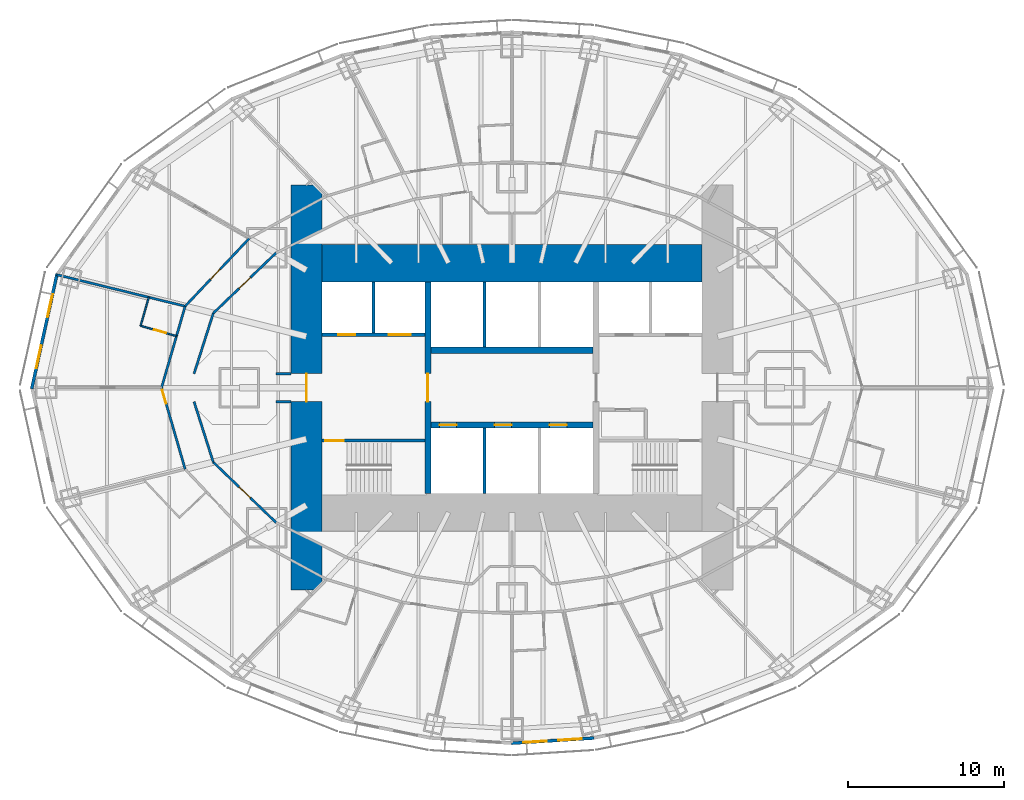
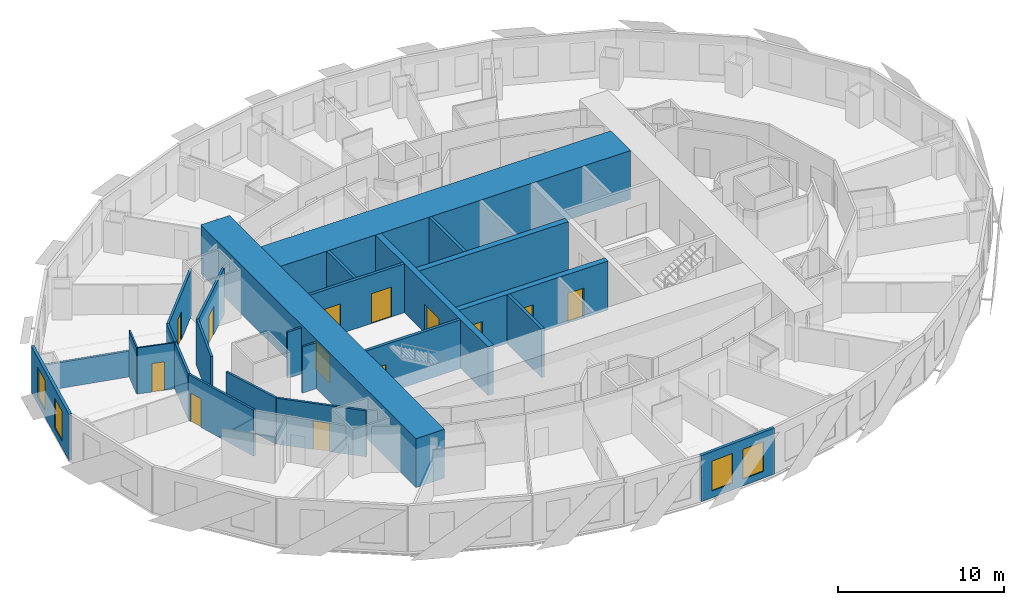
# One storey, part 6 of 15: 24 walls, 13 doors, 4 windows, 17 openings.
"""IFC4 building model written with IfcOpenShell, lengths in metres."""

import ifcopenshell
import ifcopenshell.guid

model = None  # the IFC model being written
_history = None  # IfcOwnerHistory: only IFC2X3 demands one
_inside = {}  # id of a spatial element -> (the spatial element, [elements in it])
_under = {}  # id of a project, library or spatial element -> (it, [spatial elements below it])
_declared = {}  # id of a project -> (the project, [libraries it declares])
_typed = {}  # id of a type object -> (the type object, [elements of that type])
_made_of = {}  # id of a material, layer set ... -> (it, [elements and type objects made of it])


def new_model(schema):
    """Start an empty IFC model of exactly this schema.

    Asked for "IFC4X3", IfcOpenShell would pick the latest addendum, in which some entities
    have other attributes; the version numbers below select the first issue.
    IFC2X3 requires an IfcOwnerHistory on every rooted entity: one is made here for all.
    """
    global model, _history
    if schema == "IFC4X3":
        model = ifcopenshell.file(schema_version=(4, 3, 0, 0))
    else:
        model = ifcopenshell.file(schema=schema)
    _inside.clear()
    _under.clear()
    _declared.clear()
    _typed.clear()
    _made_of.clear()
    _history = None
    if model.schema == "IFC2X3":
        org = make("IfcOrganization", Name="unknown")
        user = make(
            "IfcPersonAndOrganization",
            ThePerson=make("IfcPerson", FamilyName="unknown"),
            TheOrganization=org,
        )
        app = make(
            "IfcApplication",
            ApplicationDeveloper=org,
            Version="unknown",
            ApplicationFullName="unknown",
            ApplicationIdentifier="unknown",
        )
        _history = make(
            "IfcOwnerHistory",
            OwningUser=user,
            OwningApplication=app,
            ChangeAction="ADDED",
            CreationDate=0,
        )
    return model


def make(cls, **values):
    """One entity of the class cls with the attributes given. An attribute that is None is left unset."""
    return model.create_entity(
        cls, **{name: value for name, value in values.items() if value is not None}
    )


def rooted(cls, **values):
    """An entity with a GlobalId (a new one), such as an element, a storey or a relation."""
    return make(cls, GlobalId=ifcopenshell.guid.new(), OwnerHistory=_history, **values)


def si_unit(unit_type, name, prefix=None):
    """IfcSIUnit, for example si_unit("LENGTHUNIT", "METRE", prefix="MILLI")."""
    return make("IfcSIUnit", UnitType=unit_type, Prefix=prefix, Name=name)


def assignment(units):
    """IfcUnitAssignment: the units of a project."""
    return None if units is None else make("IfcUnitAssignment", Units=units)


def point(xyz):
    """IfcCartesianPoint."""
    return None if xyz is None else make("IfcCartesianPoint", Coordinates=xyz)


def direction(xyz):
    """IfcDirection."""
    return None if xyz is None else make("IfcDirection", DirectionRatios=xyz)


def frame(location, z_axis=None, x_axis=None):
    """IfcAxis2Placement3D, a coordinate frame: its origin and axes. An axis left out is left unset."""
    return make(
        "IfcAxis2Placement3D",
        Location=point(location),
        Axis=direction(z_axis),
        RefDirection=direction(x_axis),
    )


def frame_2d(location, x_axis=None):
    """IfcAxis2Placement2D, a coordinate frame in the plane: its origin and x axis."""
    return make(
        "IfcAxis2Placement2D", Location=point(location), RefDirection=direction(x_axis)
    )


def origin():
    """The frame at (0, 0, 0) with its axes left unset."""
    return frame((0.0, 0.0, 0.0))


def place(relative_to, where):
    """IfcLocalPlacement: puts the frame where relative to a parent placement (None: the world)."""
    return make(
        "IfcLocalPlacement", PlacementRelTo=relative_to, RelativePlacement=where
    )


def context(
    kind, dimensions, precision=None, world=None, true_north=None, identifier=None
):
    """IfcGeometricRepresentationContext, for example the 3D "Model" context."""
    return make(
        "IfcGeometricRepresentationContext",
        ContextIdentifier=identifier,
        ContextType=kind,
        CoordinateSpaceDimension=dimensions,
        Precision=precision,
        WorldCoordinateSystem=world,
        TrueNorth=true_north,
    )


def subcontext(parent, identifier, kind, view, scale=None):
    """IfcGeometricRepresentationSubContext, for example "Body" below "Model"."""
    return make(
        "IfcGeometricRepresentationSubContext",
        ContextIdentifier=identifier,
        ContextType=kind,
        ParentContext=parent,
        TargetScale=scale,
        TargetView=view,
    )


def project(units=None, contexts=None):
    """IfcProject with its units and contexts."""
    return rooted(
        "IfcProject",
        Name="project",
        RepresentationContexts=contexts,
        UnitsInContext=assignment(units),
    )


def spatial(cls, under=None, at=None, **own):
    """A site, building, storey or space (cls), placed at a placement, below another one or the project."""
    s = rooted(cls, ObjectPlacement=at, **own)
    if under is not None:
        _under.setdefault(under.id(), (under, []))[1].append(s)
    return s


def profile(cls, at=None, kind="AREA", **sizes):
    """A parametric profile (cls). Its sizes go by their IFC names, for example OverallWidth=200.0."""
    return make(cls, ProfileType=kind, Position=at, **sizes)


def rectangle(**sizes):
    """IfcRectangleProfileDef."""
    return profile("IfcRectangleProfileDef", **sizes)


def extrude(swept, where, along, depth):
    """IfcExtrudedAreaSolid: the profile swept, set in the frame where, extruded along a direction by depth."""
    return make(
        "IfcExtrudedAreaSolid",
        SweptArea=swept,
        Position=where,
        ExtrudedDirection=direction(along),
        Depth=depth,
    )


def shape(context_of_items, identifier, shape_type, items):
    """IfcShapeRepresentation: the items that make up one representation, for example the "Body"."""
    return make(
        "IfcShapeRepresentation",
        ContextOfItems=context_of_items,
        RepresentationIdentifier=identifier,
        RepresentationType=shape_type,
        Items=items,
    )


def material(Name=None, Category=None):
    """IfcMaterial."""
    return make("IfcMaterial", Name=Name, Category=Category)


def layer(
    of_material, thickness, ventilated=None, Name=None, Category=None, Priority=None
):
    """IfcMaterialLayer: one layer of a wall or slab, of a material (None: an air gap)."""
    return make(
        "IfcMaterialLayer",
        Material=of_material,
        LayerThickness=thickness,
        IsVentilated=ventilated,
        Name=Name,
        Category=Category,
        Priority=Priority,
    )


def layer_set(layers, Name=None):
    """IfcMaterialLayerSet."""
    return make("IfcMaterialLayerSet", MaterialLayers=layers, LayerSetName=Name)


def made_of(thing, what):
    """Note that an element or type object is made of a material, layer set ...; save() writes the relation."""
    if what is not None:
        _made_of.setdefault(what.id(), (what, []))[1].append(thing)
    return thing


def type_object(cls, material=None, **own):
    """A type object (cls), such as IfcWallType, which elements share."""
    return made_of(rooted(cls, **own), material)


def element(
    cls,
    number,
    at=None,
    inside=None,
    cuts=None,
    type_object=None,
    material=None,
    context=None,
    identifier="Body",
    shape_type=None,
    held_by="IfcProductDefinitionShape",
    body=None,
    shapes=None,
    **own,
):
    """One element of the class cls, such as IfcWall. Its Tag is "e" and its number.

    at: its placement. inside: the storey or other place that contains it. cuts: it is an
    opening in that element (IfcRelVoidsElement). A single representation is given by context,
    identifier, shape_type and body (its items); several are given by shapes. held_by: the class
    of the entity that holds the representations. save() writes the other relations.
    """
    e = rooted(cls, Tag="e%d" % number, ObjectPlacement=at, **own)
    if body is not None:
        shapes = [shape(context, identifier, shape_type, body)]
    if shapes is not None:
        e.Representation = make(held_by, Representations=shapes)
    if inside is not None:
        _inside.setdefault(inside.id(), (inside, []))[1].append(e)
    if cuts is not None:
        rooted(
            "IfcRelVoidsElement", RelatingBuildingElement=cuts, RelatedOpeningElement=e
        )
    if type_object is not None:
        _typed.setdefault(type_object.id(), (type_object, []))[1].append(e)
    return made_of(e, material)


def fill(opening, filler):
    """IfcRelFillsElement: the door or window that sits in an opening."""
    return rooted(
        "IfcRelFillsElement",
        RelatingOpeningElement=opening,
        RelatedBuildingElement=filler,
    )


def aggregate(whole, parts):
    """IfcRelAggregates: a whole, such as a stair, and the parts it consists of."""
    return rooted("IfcRelAggregates", RelatingObject=whole, RelatedObjects=parts)


def save(model, path):
    """Write the relations noted so far, then the file.

    IfcRelAggregates (storeys below a building ...), IfcRelContainedInSpatialStructure (elements
    in a storey), IfcRelDefinesByType, IfcRelAssociatesMaterial and IfcRelDeclares: one each for
    every whole, place, type object, material and project.
    """
    for whole, parts in _under.values():
        aggregate(whole, parts)
    for where, things in _inside.values():
        rooted(
            "IfcRelContainedInSpatialStructure",
            RelatedElements=things,
            RelatingStructure=where,
        )
    for kind, things in _typed.values():
        rooted("IfcRelDefinesByType", RelatedObjects=things, RelatingType=kind)
    for what, things in _made_of.values():
        rooted("IfcRelAssociatesMaterial", RelatedObjects=things, RelatingMaterial=what)
    for by, libraries in _declared.values():
        rooted("IfcRelDeclares", RelatingContext=by, RelatedDefinitions=libraries)
    model.write(path)


model = new_model("IFC4")

# Units and contexts
model_context = context("Model", 3, precision=1e-05, world=origin(), true_north=direction((0.0, 1.0)))
body_context = subcontext(model_context, "Body", "Model", "MODEL_VIEW")
ifc_project = project(units=[si_unit("LENGTHUNIT", "METRE"), si_unit("AREAUNIT", "SQUARE_METRE"), si_unit("VOLUMEUNIT", "CUBIC_METRE"), si_unit("PLANEANGLEUNIT", "RADIAN"), si_unit("MASSUNIT", "GRAM", prefix="KILO")], contexts=[model_context])

# Site, building, storey
site_placement = place(None, origin())
site = spatial("IfcSite", under=ifc_project, at=site_placement, CompositionType="ELEMENT")
building_placement = place(site_placement, origin())
building = spatial("IfcBuilding", under=site, at=building_placement, Name="Lantaw Convention Tower", CompositionType="ELEMENT")
storey_placement = place(building_placement, frame((0.0, 0.0, 101.800048828125)))
storey = spatial("IfcBuildingStorey", under=building, at=storey_placement, Name="L24", CompositionType="ELEMENT", Elevation=101.800048828125)

# Wall, opening, door
ifc_material_1 = material(Name="Moisture resistant gypsum board on steel studs", Category="steel")
ifc_layer_1 = layer(ifc_material_1, 0.10009765625)
ifc_layer_set_1 = layer_set([ifc_layer_1], Name="Bathroom wall 100")
wall_type_1 = type_object("IfcWallType", Name="Bathroom wall 100", PredefinedType="PARTITIONING", material=ifc_layer_set_1)
wall_1_placement = place(storey_placement, frame((-21.540771484375, 3.31103515625, 0.0), z_axis=(0.0, 0.0, 1.0), x_axis=(-0.960515628303, 0.278226037218, 0.0)))
wall_1 = element("IfcWall", 1, at=wall_1_placement, inside=storey, type_object=wall_type_1, Name="Bathroom wall 100", PredefinedType="PARTITIONING", context=body_context, shape_type="SweptSolid", body=[
    extrude(rectangle(XDim=2.39990234375, YDim=0.10009765625, at=frame_2d((1.199951171875, 0.0))), origin(), (0.0, 0.0, 1.0), 3.39990234375),
])
opening_1_placement = place(wall_1_placement, frame((0.699951171875, 0.0, 0.0)))
opening_1 = element("IfcOpeningElement", 2, at=opening_1_placement, cuts=wall_1, Name="Opening L24.37", PredefinedType="OPENING", context=body_context, shape_type="SweptSolid", body=[
    extrude(rectangle(XDim=0.800048828125, YDim=2.10009765625, at=frame_2d((0.39990234375, 1.050048828125))), frame((0.0, 0.06005859375, 0.0), z_axis=(0.0, -1.0, 0.0), x_axis=(1.0, 0.0, 0.0)), (0.0, 0.0, 1.0), 0.1201171875),
])
ifc_material_2 = material(Name="Timber", Category="wood")
door_type_1 = type_object("IfcDoorType", Name="Bathroom door 800", OperationType="SINGLE_SWING_LEFT", PredefinedType="DOOR", material=ifc_material_2)
door_1_placement = place(opening_1_placement, origin())
door_1 = element("IfcDoor", 3, at=door_1_placement, inside=storey, type_object=door_type_1, Name="Bathroom door", OperationType="SINGLE_SWING_LEFT", OverallHeight=2.10009765625, OverallWidth=0.800048828125, PredefinedType="DOOR", context=body_context, shape_type="SweptSolid", body=[
    extrude(rectangle(XDim=0.800048828125, YDim=2.10009765625, at=frame_2d((0.39990234375, 1.050048828125))), frame((0.0, 0.02490234375, 0.0), z_axis=(0.0, -1.0, 0.0), x_axis=(1.0, 0.0, 0.0)), (0.0, 0.0, 1.0), 0.050048828125),
])
fill(opening_1, door_1)

# Wall
wall_2_placement = place(storey_placement, frame((-23.845947265625, 3.978759765625, 0.0), z_axis=(0.0, 0.0, 1.0), x_axis=(0.278197767203, 0.960523816635, 0.0)))
element("IfcWall", 4, at=wall_2_placement, inside=storey, type_object=wall_type_1, Name="Bathroom wall 100", PredefinedType="PARTITIONING", context=body_context, shape_type="SweptSolid", body=[
    extrude(rectangle(XDim=1.90966796875, YDim=0.10009765625, at=frame_2d((0.954833984375, 0.0))), origin(), (0.0, 0.0, 1.0), 3.39990234375),
])

# Wall, opening, door
ifc_material_3 = material(Name="Concrete C60/75", Category="concrete")
ifc_layer_2 = layer(ifc_material_3, 0.199951171875)
ifc_layer_set_2 = layer_set([ifc_layer_2], Name="Core wall 200")
wall_type_2 = type_object("IfcWallType", Name="Core wall 200", PredefinedType="SHEAR", material=ifc_layer_set_2)
wall_3_placement = place(storey_placement, frame((-5.60009765625, -3.39990234375, 0.0), z_axis=(0.0, 0.0, 1.0), x_axis=(-1.0, 0.0, 0.0)))
wall_3 = element("IfcWall", 5, at=wall_3_placement, inside=storey, type_object=wall_type_2, Name="Core wall WS", PredefinedType="SHEAR", context=body_context, shape_type="SweptSolid", body=[
    extrude(rectangle(XDim=6.599853515625, YDim=0.199951171875, at=frame_2d((3.2998046875, 0.0))), origin(), (0.0, 0.0, 1.0), 3.599853515625),
])
opening_2_placement = place(wall_3_placement, frame((5.199951171875, 0.0, 0.0)))
opening_2 = element("IfcOpeningElement", 6, at=opening_2_placement, cuts=wall_3, Name="Opening L24.05", PredefinedType="OPENING", context=body_context, shape_type="SweptSolid", body=[
    extrude(rectangle(XDim=1.199951171875, YDim=2.10009765625, at=frame_2d((0.60009765625, 1.050048828125))), frame((0.0, 0.10986328125, 0.0), z_axis=(0.0, -1.0, 0.0), x_axis=(1.0, 0.0, 0.0)), (0.0, 0.0, 1.0), 0.219970703125),
])
ifc_material_4 = material(Name="Steel, fire rated", Category="steel")
door_type_2 = type_object("IfcDoorType", Name="Stair door FD90", OperationType="SINGLE_SWING_RIGHT", PredefinedType="DOOR", material=ifc_material_4)
door_2_placement = place(opening_2_placement, origin())
door_2 = element("IfcDoor", 7, at=door_2_placement, inside=storey, type_object=door_type_2, Name="Exit stair door", OperationType="SINGLE_SWING_RIGHT", OverallHeight=2.10009765625, OverallWidth=1.199951171875, PredefinedType="DOOR", context=body_context, shape_type="SweptSolid", body=[
    extrude(rectangle(XDim=1.199951171875, YDim=2.10009765625, at=frame_2d((0.60009765625, 1.050048828125))), frame((0.0, 0.02490234375, 0.0), z_axis=(0.0, -1.0, 0.0), x_axis=(1.0, 0.0, 0.0)), (0.0, 0.0, 1.0), 0.050048828125),
])
fill(opening_2, door_2)

ifc_layer_3 = layer(ifc_material_3, 2.0)
ifc_layer_set_3 = layer_set([ifc_layer_3], Name="Core wall 2000")
wall_type_3 = type_object("IfcWallType", Name="Core wall 2000", PredefinedType="SHEAR", material=ifc_layer_set_3)
wall_4_placement = place(storey_placement, frame((-13.199951171875, 13.0, 0.0), z_axis=(0.0, 0.0, 1.0), x_axis=(0.0, -1.0, 0.0)))
wall_4 = element("IfcWall", 8, at=wall_4_placement, inside=storey, type_object=wall_type_3, Name="Core wall W", PredefinedType="SHEAR", context=body_context, shape_type="SweptSolid", body=[
    extrude(rectangle(XDim=26.0, YDim=2.0, at=frame_2d((13.0, 0.0))), origin(), (0.0, 0.0, 1.0), 3.599853515625),
])
opening_3_placement = place(wall_4_placement, frame((12.10009765625, 0.0, 0.0)))
opening_3 = element("IfcOpeningElement", 9, at=opening_3_placement, cuts=wall_4, Name="Opening L24.07", PredefinedType="OPENING", context=body_context, shape_type="SweptSolid", body=[
    extrude(rectangle(XDim=1.800048828125, YDim=2.10009765625, at=frame_2d((0.89990234375, 1.050048828125))), frame((0.0, 1.010009765625, 0.0), z_axis=(0.0, -1.0, 0.0), x_axis=(1.0, 0.0, 0.0)), (0.0, 0.0, 1.0), 2.02001953125),
])
door_type_3 = type_object("IfcDoorType", Name="Lobby double door FD90", OperationType="DOUBLE_DOOR_DOUBLE_SWING", PredefinedType="DOOR", material=ifc_material_4)
door_3_placement = place(opening_3_placement, origin())
door_3 = element("IfcDoor", 10, at=door_3_placement, inside=storey, type_object=door_type_3, Name="Firefighting lobby door", OperationType="DOUBLE_DOOR_DOUBLE_SWING", OverallHeight=2.10009765625, OverallWidth=1.800048828125, PredefinedType="DOOR", context=body_context, shape_type="SweptSolid", body=[
    extrude(rectangle(XDim=1.800048828125, YDim=2.10009765625, at=frame_2d((0.89990234375, 1.050048828125))), frame((0.0, 0.02490234375, 0.0), z_axis=(0.0, -1.0, 0.0), x_axis=(1.0, 0.0, 0.0)), (0.0, 0.0, 1.0), 0.050048828125),
])
fill(opening_3, door_3)

# Wall
ifc_layer_4 = layer(ifc_material_3, 2.39990234375)
ifc_layer_set_4 = layer_set([ifc_layer_4], Name="Core wall 2400")
wall_type_4 = type_object("IfcWallType", Name="Core wall 2400", PredefinedType="SHEAR", material=ifc_layer_set_4)
wall_5_placement = place(storey_placement, frame((12.199951171875, 8.0, 0.0), z_axis=(0.0, 0.0, 1.0), x_axis=(-1.0, 0.0, 0.0)))
element("IfcWall", 11, at=wall_5_placement, inside=storey, type_object=wall_type_4, Name="Core wall N", PredefinedType="SHEAR", context=body_context, shape_type="SweptSolid", body=[
    extrude(rectangle(XDim=24.39990234375, YDim=2.39990234375, at=frame_2d((12.199951171875, 0.0))), origin(), (0.0, 0.0, 1.0), 3.599853515625),
])

# Wall, opening, door
ifc_layer_5 = layer(ifc_material_3, 0.39990234375)
ifc_layer_set_5 = layer_set([ifc_layer_5], Name="Core wall 400")
wall_type_5 = type_object("IfcWallType", Name="Core wall 400", PredefinedType="SHEAR", material=ifc_layer_set_5)
wall_6_placement = place(storey_placement, frame((-5.39990234375, 6.800048828125, 0.0), z_axis=(0.0, 0.0, 1.0), x_axis=(0.0, -1.0, 0.0)))
wall_6 = element("IfcWall", 12, at=wall_6_placement, inside=storey, type_object=wall_type_5, Name="Core wall XW", PredefinedType="SHEAR", context=body_context, shape_type="SweptSolid", body=[
    extrude(rectangle(XDim=13.60009765625, YDim=0.39990234375, at=frame_2d((6.800048828125, 0.0))), origin(), (0.0, 0.0, 1.0), 3.599853515625),
])
opening_4_placement = place(wall_6_placement, frame((5.89990234375, 0.0, 0.0)))
opening_4 = element("IfcOpeningElement", 13, at=opening_4_placement, cuts=wall_6, Name="Opening L24.03", PredefinedType="OPENING", context=body_context, shape_type="SweptSolid", body=[
    extrude(rectangle(XDim=1.800048828125, YDim=2.10009765625, at=frame_2d((0.89990234375, 1.050048828125))), frame((0.0, 0.2099609375, 0.0), z_axis=(0.0, -1.0, 0.0), x_axis=(1.0, 0.0, 0.0)), (0.0, 0.0, 1.0), 0.419921875),
])
door_4_placement = place(opening_4_placement, origin())
door_4 = element("IfcDoor", 14, at=door_4_placement, inside=storey, type_object=door_type_3, Name="Lift lobby door", OperationType="DOUBLE_DOOR_DOUBLE_SWING", OverallHeight=2.10009765625, OverallWidth=1.800048828125, PredefinedType="DOOR", context=body_context, shape_type="SweptSolid", body=[
    extrude(rectangle(XDim=1.800048828125, YDim=2.10009765625, at=frame_2d((0.89990234375, 1.050048828125))), frame((0.0, 0.02490234375, 0.0), z_axis=(0.0, -1.0, 0.0), x_axis=(1.0, 0.0, 0.0)), (0.0, 0.0, 1.0), 0.050048828125),
])
fill(opening_4, door_4)

# Wall, openings, doors
wall_7_placement = place(storey_placement, frame((-5.199951171875, -2.39990234375, 0.0), z_axis=(0.0, 0.0, 1.0), x_axis=(1.0, 0.0, 0.0)))
wall_7 = element("IfcWall", 15, at=wall_7_placement, inside=storey, type_object=wall_type_5, Name="Core wall BS", PredefinedType="SHEAR", context=body_context, shape_type="SweptSolid", body=[
    extrude(rectangle(XDim=10.39990234375, YDim=0.39990234375, at=frame_2d((5.199951171875, 0.0))), origin(), (0.0, 0.0, 1.0), 3.599853515625),
])
opening_5_placement = place(wall_7_placement, frame((0.550048828125, 0.0, 0.0)))
opening_5 = element("IfcOpeningElement", 16, at=opening_5_placement, cuts=wall_7, Name="Opening L24.08", PredefinedType="OPENING", context=body_context, shape_type="SweptSolid", body=[
    extrude(rectangle(XDim=1.10009765625, YDim=2.199951171875, at=frame_2d((0.550048828125, 1.10009765625))), frame((0.0, 0.2099609375, 0.0), z_axis=(0.0, -1.0, 0.0), x_axis=(1.0, 0.0, 0.0)), (0.0, 0.0, 1.0), 0.419921875),
])
opening_6_placement = place(wall_7_placement, frame((4.083251953125, 0.0, 0.0)))
opening_6 = element("IfcOpeningElement", 17, at=opening_6_placement, cuts=wall_7, Name="Opening L24.09", PredefinedType="OPENING", context=body_context, shape_type="SweptSolid", body=[
    extrude(rectangle(XDim=1.10009765625, YDim=2.199951171875, at=frame_2d((0.550048828125, 1.10009765625))), frame((0.0, 0.2099609375, 0.0), z_axis=(0.0, -1.0, 0.0), x_axis=(1.0, 0.0, 0.0)), (0.0, 0.0, 1.0), 0.419921875),
])
opening_7_placement = place(wall_7_placement, frame((7.61669921875, 0.0, 0.0)))
opening_7 = element("IfcOpeningElement", 18, at=opening_7_placement, cuts=wall_7, Name="Opening L24.10", PredefinedType="OPENING", context=body_context, shape_type="SweptSolid", body=[
    extrude(rectangle(XDim=1.10009765625, YDim=2.199951171875, at=frame_2d((0.550048828125, 1.10009765625))), frame((0.0, 0.2099609375, 0.0), z_axis=(0.0, -1.0, 0.0), x_axis=(1.0, 0.0, 0.0)), (0.0, 0.0, 1.0), 0.419921875),
])
ifc_material_5 = material(Name="Stainless steel", Category="steel")
door_type_4 = type_object("IfcDoorType", Name="Lift landing door 1100", OperationType="DOUBLE_DOOR_SLIDING", PredefinedType="DOOR", material=ifc_material_5)
door_5_placement = place(opening_5_placement, origin())
door_5 = element("IfcDoor", 19, at=door_5_placement, inside=storey, type_object=door_type_4, Name="Lift landing door H1", OperationType="DOUBLE_DOOR_SLIDING", OverallHeight=2.199951171875, OverallWidth=1.10009765625, PredefinedType="DOOR", context=body_context, shape_type="SweptSolid", body=[
    extrude(rectangle(XDim=1.10009765625, YDim=2.199951171875, at=frame_2d((0.550048828125, 1.10009765625))), frame((0.0, 0.02490234375, 0.0), z_axis=(0.0, -1.0, 0.0), x_axis=(1.0, 0.0, 0.0)), (0.0, 0.0, 1.0), 0.050048828125),
])
fill(opening_5, door_5)
door_6_placement = place(opening_6_placement, origin())
door_6 = element("IfcDoor", 20, at=door_6_placement, inside=storey, type_object=door_type_4, Name="Lift landing door H2", OperationType="DOUBLE_DOOR_SLIDING", OverallHeight=2.199951171875, OverallWidth=1.10009765625, PredefinedType="DOOR", context=body_context, shape_type="SweptSolid", body=[
    extrude(rectangle(XDim=1.10009765625, YDim=2.199951171875, at=frame_2d((0.550048828125, 1.10009765625))), frame((0.0, 0.02490234375, 0.0), z_axis=(0.0, -1.0, 0.0), x_axis=(1.0, 0.0, 0.0)), (0.0, 0.0, 1.0), 0.050048828125),
])
fill(opening_6, door_6)
door_7_placement = place(opening_7_placement, origin())
door_7 = element("IfcDoor", 21, at=door_7_placement, inside=storey, type_object=door_type_4, Name="Lift landing door H3", OperationType="DOUBLE_DOOR_SLIDING", OverallHeight=2.199951171875, OverallWidth=1.10009765625, PredefinedType="DOOR", context=body_context, shape_type="SweptSolid", body=[
    extrude(rectangle(XDim=1.10009765625, YDim=2.199951171875, at=frame_2d((0.550048828125, 1.10009765625))), frame((0.0, 0.02490234375, 0.0), z_axis=(0.0, -1.0, 0.0), x_axis=(1.0, 0.0, 0.0)), (0.0, 0.0, 1.0), 0.050048828125),
])
fill(opening_7, door_7)

# Wall
wall_8_placement = place(storey_placement, frame((5.199951171875, 2.39990234375, 0.0), z_axis=(0.0, 0.0, 1.0), x_axis=(-1.0, 0.0, 0.0)))
element("IfcWall", 22, at=wall_8_placement, inside=storey, type_object=wall_type_5, Name="Core wall BN", PredefinedType="SHEAR", context=body_context, shape_type="SweptSolid", body=[
    extrude(rectangle(XDim=10.39990234375, YDim=0.39990234375, at=frame_2d((5.199951171875, 0.0))), origin(), (0.0, 0.0, 1.0), 3.599853515625),
])

# Wall, opening, door
ifc_material_6 = material(Name="Gypsum board on steel studs, fire rated", Category="steel")
ifc_layer_6 = layer(ifc_material_6, 0.14990234375)
ifc_layer_set_6 = layer_set([ifc_layer_6], Name="Corridor wall 150 EI 60")
wall_type_6 = type_object("IfcWallType", Name="Corridor wall 150 EI 60", PredefinedType="PARTITIONING", material=ifc_layer_set_6)
wall_9_placement = place(storey_placement, frame((-16.8349609375, 9.6201171875, 0.0), z_axis=(0.0, 0.0, 1.0), x_axis=(-0.687062608696, -0.726598218916, 0.0)))
wall_9 = element("IfcWall", 23, at=wall_9_placement, inside=storey, type_object=wall_type_6, Name="Corridor wall 150", PredefinedType="PARTITIONING", context=body_context, shape_type="SweptSolid", body=[
    extrude(rectangle(XDim=6.039306640625, YDim=0.14990234375, at=frame_2d((3.01953125, 0.0))), origin(), (0.0, 0.0, 1.0), 3.39990234375),
])
opening_8_placement = place(wall_9_placement, frame((2.771240234375, 0.0, 0.0)))
opening_8 = element("IfcOpeningElement", 24, at=opening_8_placement, cuts=wall_9, Name="Opening L24.36", PredefinedType="OPENING", context=body_context, shape_type="SweptSolid", body=[
    extrude(rectangle(XDim=0.89990234375, YDim=2.10009765625, at=frame_2d((0.449951171875, 1.050048828125))), frame((0.0, 0.0849609375, 0.0), z_axis=(0.0, -1.0, 0.0), x_axis=(1.0, 0.0, 0.0)), (0.0, 0.0, 1.0), 0.169921875),
])
door_type_5 = type_object("IfcDoorType", Name="Guest room entrance door FD30S", OperationType="SINGLE_SWING_LEFT", PredefinedType="DOOR", material=ifc_material_4)
door_8_placement = place(opening_8_placement, origin())
door_8 = element("IfcDoor", 25, at=door_8_placement, inside=storey, type_object=door_type_5, Name="Suite entrance door", OperationType="SINGLE_SWING_LEFT", OverallHeight=2.10009765625, OverallWidth=0.89990234375, PredefinedType="DOOR", context=body_context, shape_type="SweptSolid", body=[
    extrude(rectangle(XDim=0.89990234375, YDim=2.10009765625, at=frame_2d((0.449951171875, 1.050048828125))), frame((0.0, 0.02490234375, 0.0), z_axis=(0.0, -1.0, 0.0), x_axis=(1.0, 0.0, 0.0)), (0.0, 0.0, 1.0), 0.050048828125),
])
fill(opening_8, door_8)

# Wall
wall_10_placement = place(storey_placement, frame((-20.984375, 5.23193359375, 0.0), z_axis=(0.0, 0.0, 1.0), x_axis=(-0.278247435376, -0.960509429785, 0.0)))
element("IfcWall", 26, at=wall_10_placement, inside=storey, type_object=wall_type_6, Name="Corridor wall 150", PredefinedType="PARTITIONING", context=body_context, shape_type="SweptSolid", body=[
    extrude(rectangle(XDim=5.447021484375, YDim=0.14990234375, at=frame_2d((2.7236328125, 0.0))), origin(), (0.0, 0.0, 1.0), 3.39990234375),
])

# Wall, opening, door
wall_11_placement = place(storey_placement, frame((-22.5, 0.0, 0.0), z_axis=(0.0, 0.0, 1.0), x_axis=(0.278247435376, -0.960509429785, 0.0)))
wall_11 = element("IfcWall", 27, at=wall_11_placement, inside=storey, type_object=wall_type_6, Name="Corridor wall 150", PredefinedType="PARTITIONING", context=body_context, shape_type="SweptSolid", body=[
    extrude(rectangle(XDim=5.447021484375, YDim=0.14990234375, at=frame_2d((2.7236328125, 0.0))), origin(), (0.0, 0.0, 1.0), 3.39990234375),
])
opening_9_placement = place(wall_11_placement, frame((0.14990234375, 0.0, 0.0)))
opening_9 = element("IfcOpeningElement", 28, at=opening_9_placement, cuts=wall_11, Name="Opening L24.39", PredefinedType="OPENING", context=body_context, shape_type="SweptSolid", body=[
    extrude(rectangle(XDim=0.89990234375, YDim=2.10009765625, at=frame_2d((0.449951171875, 1.050048828125))), frame((0.0, 0.0849609375, 0.0), z_axis=(0.0, -1.0, 0.0), x_axis=(1.0, 0.0, 0.0)), (0.0, 0.0, 1.0), 0.169921875),
])
door_9_placement = place(opening_9_placement, origin())
door_9 = element("IfcDoor", 29, at=door_9_placement, inside=storey, type_object=door_type_5, Name="Suite entrance door", OperationType="SINGLE_SWING_LEFT", OverallHeight=2.10009765625, OverallWidth=0.89990234375, PredefinedType="DOOR", context=body_context, shape_type="SweptSolid", body=[
    extrude(rectangle(XDim=0.89990234375, YDim=2.10009765625, at=frame_2d((0.449951171875, 1.050048828125))), frame((0.0, 0.02490234375, 0.0), z_axis=(0.0, -1.0, 0.0), x_axis=(1.0, 0.0, 0.0)), (0.0, 0.0, 1.0), 0.050048828125),
])
fill(opening_9, door_9)

wall_12_placement = place(storey_placement, frame((-15.1474609375, 8.65576171875, 0.0), z_axis=(0.0, 0.0, 1.0), x_axis=(-0.720837261072, -0.693104352209, 0.0)))
wall_12 = element("IfcWall", 30, at=wall_12_placement, inside=storey, type_object=wall_type_6, Name="Corridor wall 150", PredefinedType="PARTITIONING", context=body_context, shape_type="SweptSolid", body=[
    extrude(rectangle(XDim=5.590087890625, YDim=0.14990234375, at=frame_2d((2.794921875, 0.0))), origin(), (0.0, 0.0, 1.0), 3.39990234375),
])
opening_10_placement = place(wall_12_placement, frame((2.294921875, 0.0, 0.0)))
opening_10 = element("IfcOpeningElement", 31, at=opening_10_placement, cuts=wall_12, Name="Opening L24.20", PredefinedType="OPENING", context=body_context, shape_type="SweptSolid", body=[
    extrude(rectangle(XDim=1.0, YDim=2.10009765625, at=frame_2d((0.5, 1.050048828125))), frame((0.0, 0.0849609375, 0.0), z_axis=(0.0, -1.0, 0.0), x_axis=(1.0, 0.0, 0.0)), (0.0, 0.0, 1.0), 0.169921875),
])
door_type_6 = type_object("IfcDoorType", Name="Service door 1000 FD30", OperationType="SINGLE_SWING_LEFT", PredefinedType="DOOR", material=ifc_material_4)
door_10_placement = place(opening_10_placement, origin())
door_10 = element("IfcDoor", 32, at=door_10_placement, inside=storey, type_object=door_type_6, Name="Housekeeping room door", OperationType="SINGLE_SWING_LEFT", OverallHeight=2.10009765625, OverallWidth=1.0, PredefinedType="DOOR", context=body_context, shape_type="SweptSolid", body=[
    extrude(rectangle(XDim=1.0, YDim=2.10009765625, at=frame_2d((0.5, 1.050048828125))), frame((0.0, 0.02490234375, 0.0), z_axis=(0.0, -1.0, 0.0), x_axis=(1.0, 0.0, 0.0)), (0.0, 0.0, 1.0), 0.050048828125),
])
fill(opening_10, door_10)

# Walls
for number, where, z_axis, x_axis, name in (
    (33, (-19.177001953125, 4.78125, 0.0), (0.0, 0.0, 1.0), (-0.303505448228, -0.952829702988, 0.0), "Corridor wall 150"),
    (34, (-20.413330078125, -0.89990234375, 0.0), (0.0, 0.0, 1.0), (0.303505448228, -0.952829702988, 0.0), "Corridor wall 150"),
):
    element("IfcWall", number, at=place(storey_placement, frame(where, z_axis=z_axis, x_axis=x_axis)), inside=storey, type_object=wall_type_6, Name=name, PredefinedType="PARTITIONING", context=body_context, shape_type="SweptSolid", body=[
        extrude(rectangle(XDim=4.073486328125, YDim=0.14990234375, at=frame_2d((2.03662109375, 0.0))), origin(), (0.0, 0.0, 1.0), 3.39990234375),
    ])

# Wall, opening, door
wall_13_placement = place(storey_placement, frame((-19.177001953125, -4.78125, 0.0), z_axis=(0.0, 0.0, 1.0), x_axis=(0.720837261072, -0.693104352209, 0.0)))
wall_13 = element("IfcWall", 35, at=wall_13_placement, inside=storey, type_object=wall_type_6, Name="Corridor wall 150", PredefinedType="PARTITIONING", context=body_context, shape_type="SweptSolid", body=[
    extrude(rectangle(XDim=5.590087890625, YDim=0.14990234375, at=frame_2d((2.794921875, 0.0))), origin(), (0.0, 0.0, 1.0), 3.39990234375),
])
opening_11_placement = place(wall_13_placement, frame((2.294921875, 0.0, 0.0)))
opening_11 = element("IfcOpeningElement", 36, at=opening_11_placement, cuts=wall_13, Name="Opening L24.22", PredefinedType="OPENING", context=body_context, shape_type="SweptSolid", body=[
    extrude(rectangle(XDim=1.0, YDim=2.10009765625, at=frame_2d((0.5, 1.050048828125))), frame((0.0, 0.0849609375, 0.0), z_axis=(0.0, -1.0, 0.0), x_axis=(1.0, 0.0, 0.0)), (0.0, 0.0, 1.0), 0.169921875),
])
door_11_placement = place(opening_11_placement, origin())
door_11 = element("IfcDoor", 37, at=door_11_placement, inside=storey, type_object=door_type_6, Name="Staff room door", OperationType="SINGLE_SWING_LEFT", OverallHeight=2.10009765625, OverallWidth=1.0, PredefinedType="DOOR", context=body_context, shape_type="SweptSolid", body=[
    extrude(rectangle(XDim=1.0, YDim=2.10009765625, at=frame_2d((0.5, 1.050048828125))), frame((0.0, 0.02490234375, 0.0), z_axis=(0.0, -1.0, 0.0), x_axis=(1.0, 0.0, 0.0)), (0.0, 0.0, 1.0), 0.050048828125),
])
fill(opening_11, door_11)

# Walls
for number, where, z_axis, x_axis, name in (
    (38, (-14.199951171875, -0.89990234375, 0.0), (0.0, 0.0, 1.0), (-1.0, 0.0, 0.0), "Corridor wall 150"),
    (39, (-14.199951171875, 0.89990234375, 0.0), (0.0, 0.0, 1.0), (-1.0, 0.0, 0.0), "Corridor wall 150"),
):
    element("IfcWall", number, at=place(storey_placement, frame(where, z_axis=z_axis, x_axis=x_axis)), inside=storey, type_object=wall_type_6, Name=name, PredefinedType="PARTITIONING", context=body_context, shape_type="SweptSolid", body=[
        extrude(rectangle(XDim=0.965087890625, YDim=0.14990234375, at=frame_2d((0.482421875, 0.0))), origin(), (0.0, 0.0, 1.0), 3.39990234375),
    ])

# Wall, openings, windows
ifc_material_7 = material(Name="Insulated aluminium panel on steel frame", Category="steel")
ifc_layer_7 = layer(ifc_material_7, 0.199951171875)
ifc_layer_set_7 = layer_set([ifc_layer_7], Name="External wall 200")
wall_type_7 = type_object("IfcWallType", Name="External wall 200", PredefinedType="SOLIDWALL", material=ifc_layer_set_7)
wall_14_placement = place(storey_placement, frame((-29.207763671875, 7.318115234375, 0.0), z_axis=(0.0, 0.0, 1.0), x_axis=(-0.215238065514, -0.976561608478, 0.0)))
wall_14 = element("IfcWall", 40, at=wall_14_placement, inside=storey, type_object=wall_type_7, Name="Facade panel wall", PredefinedType="SOLIDWALL", context=body_context, shape_type="SweptSolid", body=[
    extrude(rectangle(XDim=7.562255859375, YDim=0.199951171875, at=frame_2d((3.78125, 0.0))), origin(), (0.0, 0.0, 1.0), 3.39990234375),
])
opening_12_placement = place(wall_14_placement, frame((1.340576171875, 0.0, 0.5)))
opening_12 = element("IfcOpeningElement", 41, at=opening_12_placement, cuts=wall_14, Name="Opening W2", PredefinedType="OPENING", context=body_context, shape_type="SweptSolid", body=[
    extrude(rectangle(XDim=1.5, YDim=2.199951171875, at=frame_2d((0.75, 1.10009765625))), frame((0.0, 0.10986328125, 0.0), z_axis=(0.0, -1.0, 0.0), x_axis=(1.0, 0.0, 0.0)), (0.0, 0.0, 1.0), 0.219970703125),
])
opening_13_placement = place(wall_14_placement, frame((4.7216796875, 0.0, 0.5)))
opening_13 = element("IfcOpeningElement", 42, at=opening_13_placement, cuts=wall_14, Name="Opening W2", PredefinedType="OPENING", context=body_context, shape_type="SweptSolid", body=[
    extrude(rectangle(XDim=1.5, YDim=2.199951171875, at=frame_2d((0.75, 1.10009765625))), frame((0.0, 0.10986328125, 0.0), z_axis=(0.0, -1.0, 0.0), x_axis=(1.0, 0.0, 0.0)), (0.0, 0.0, 1.0), 0.219970703125),
])
ifc_material_8 = material(Name="Aluminium frame, clear insulating glass", Category="aluminium")
window_type = type_object("IfcWindowType", Name="Suite window 1500x2200", PartitioningType="SINGLE_PANEL", PredefinedType="WINDOW", material=ifc_material_8)
window_1_placement = place(opening_12_placement, origin())
window_1 = element("IfcWindow", 43, at=window_1_placement, inside=storey, type_object=window_type, Name="Guest room window", OverallHeight=2.199951171875, OverallWidth=1.5, PartitioningType="SINGLE_PANEL", PredefinedType="WINDOW", context=body_context, shape_type="SweptSolid", body=[
    extrude(rectangle(XDim=1.5, YDim=2.199951171875, at=frame_2d((0.75, 1.10009765625))), frame((0.0, 0.030029296875, 0.0), z_axis=(0.0, -1.0, 0.0), x_axis=(1.0, 0.0, 0.0)), (0.0, 0.0, 1.0), 0.06005859375),
])
fill(opening_12, window_1)
window_2_placement = place(opening_13_placement, origin())
window_2 = element("IfcWindow", 44, at=window_2_placement, inside=storey, type_object=window_type, Name="Guest room window", OverallHeight=2.199951171875, OverallWidth=1.5, PartitioningType="SINGLE_PANEL", PredefinedType="WINDOW", context=body_context, shape_type="SweptSolid", body=[
    extrude(rectangle(XDim=1.5, YDim=2.199951171875, at=frame_2d((0.75, 1.10009765625))), frame((0.0, 0.030029296875, 0.0), z_axis=(0.0, -1.0, 0.0), x_axis=(1.0, 0.0, 0.0)), (0.0, 0.0, 1.0), 0.06005859375),
])
fill(opening_13, window_2)

wall_15_placement = place(storey_placement, frame((-0.041015625, -22.8271484375, 0.0), z_axis=(0.0, 0.0, 1.0), x_axis=(0.998018582375, 0.062919863585, 0.0)))
wall_15 = element("IfcWall", 45, at=wall_15_placement, inside=storey, type_object=wall_type_7, Name="Facade panel wall", PredefinedType="SOLIDWALL", context=body_context, shape_type="SweptSolid", body=[
    extrude(rectangle(XDim=5.30419921875, YDim=0.199951171875, at=frame_2d((2.652099609375, 0.0))), origin(), (0.0, 0.0, 1.0), 3.39990234375),
])
opening_14_placement = place(wall_15_placement, frame((0.77587890625, 0.0, 0.5)))
opening_14 = element("IfcOpeningElement", 46, at=opening_14_placement, cuts=wall_15, Name="Opening W2", PredefinedType="OPENING", context=body_context, shape_type="SweptSolid", body=[
    extrude(rectangle(XDim=1.5, YDim=2.199951171875, at=frame_2d((0.75, 1.10009765625))), frame((0.0, 0.10986328125, 0.0), z_axis=(0.0, -1.0, 0.0), x_axis=(1.0, 0.0, 0.0)), (0.0, 0.0, 1.0), 0.219970703125),
])
opening_15_placement = place(wall_15_placement, frame((3.028076171875, 0.0, 0.5)))
opening_15 = element("IfcOpeningElement", 47, at=opening_15_placement, cuts=wall_15, Name="Opening W2", PredefinedType="OPENING", context=body_context, shape_type="SweptSolid", body=[
    extrude(rectangle(XDim=1.5, YDim=2.199951171875, at=frame_2d((0.75, 1.10009765625))), frame((0.0, 0.10986328125, 0.0), z_axis=(0.0, -1.0, 0.0), x_axis=(1.0, 0.0, 0.0)), (0.0, 0.0, 1.0), 0.219970703125),
])
window_3_placement = place(opening_14_placement, origin())
window_3 = element("IfcWindow", 48, at=window_3_placement, inside=storey, type_object=window_type, Name="Guest room window", OverallHeight=2.199951171875, OverallWidth=1.5, PartitioningType="SINGLE_PANEL", PredefinedType="WINDOW", context=body_context, shape_type="SweptSolid", body=[
    extrude(rectangle(XDim=1.5, YDim=2.199951171875, at=frame_2d((0.75, 1.10009765625))), frame((0.0, 0.030029296875, 0.0), z_axis=(0.0, -1.0, 0.0), x_axis=(1.0, 0.0, 0.0)), (0.0, 0.0, 1.0), 0.06005859375),
])
fill(opening_14, window_3)
window_4_placement = place(opening_15_placement, origin())
window_4 = element("IfcWindow", 49, at=window_4_placement, inside=storey, type_object=window_type, Name="Guest room window", OverallHeight=2.199951171875, OverallWidth=1.5, PartitioningType="SINGLE_PANEL", PredefinedType="WINDOW", context=body_context, shape_type="SweptSolid", body=[
    extrude(rectangle(XDim=1.5, YDim=2.199951171875, at=frame_2d((0.75, 1.10009765625))), frame((0.0, 0.030029296875, 0.0), z_axis=(0.0, -1.0, 0.0), x_axis=(1.0, 0.0, 0.0)), (0.0, 0.0, 1.0), 0.06005859375),
])
fill(opening_15, window_4)

# Walls
ifc_material_9 = material(Name="Gypsum board on steel studs, acoustic", Category="steel")
ifc_layer_8 = layer(ifc_material_9, 0.14990234375)
ifc_layer_set_8 = layer_set([ifc_layer_8], Name="Guest room party wall 150")
wall_type_8 = type_object("IfcWallType", Name="Guest room party wall 150", PredefinedType="PARTITIONING", material=ifc_layer_set_8)
wall_16_placement = place(storey_placement, frame((-29.221923828125, 7.253662109375, 0.0), z_axis=(0.0, 0.0, 1.0), x_axis=(0.971178166182, -0.238354713676, 0.0)))
element("IfcWall", 50, at=wall_16_placement, inside=storey, type_object=wall_type_8, Name="Guest room party wall 150", PredefinedType="PARTITIONING", context=body_context, shape_type="SweptSolid", body=[
    extrude(rectangle(XDim=8.48193359375, YDim=0.14990234375, at=frame_2d((4.240966796875, 0.0))), origin(), (0.0, 0.0, 1.0), 1.89990234375),
])
ifc_material_10 = material(Name="Concrete blockwork, fire rated", Category="masonry")
ifc_layer_9 = layer(ifc_material_10, 0.199951171875)
ifc_layer_set_9 = layer_set([ifc_layer_9], Name="Shaft wall 200")
wall_type_9 = type_object("IfcWallType", Name="Shaft wall 200", PredefinedType="SOLIDWALL", material=ifc_layer_set_9)
wall_17_placement = place(storey_placement, frame((-1.7666015625, 2.60009765625, 0.0), z_axis=(0.0, 0.0, 1.0), x_axis=(0.0, 1.0, 0.0)))
element("IfcWall", 51, at=wall_17_placement, inside=storey, type_object=wall_type_9, Name="Shaft wall DN1", PredefinedType="SOLIDWALL", context=body_context, shape_type="SweptSolid", body=[
    extrude(rectangle(XDim=4.199951171875, YDim=0.199951171875, at=frame_2d((2.10009765625, 0.0))), origin(), (0.0, 0.0, 1.0), 3.599853515625),
])

# Wall, openings, doors
wall_18_placement = place(storey_placement, frame((-12.199951171875, 3.39990234375, 0.0), z_axis=(0.0, 0.0, 1.0), x_axis=(1.0, 0.0, 0.0)))
wall_18 = element("IfcWall", 52, at=wall_18_placement, inside=storey, type_object=wall_type_9, Name="Shaft wall WN", PredefinedType="SOLIDWALL", context=body_context, shape_type="SweptSolid", body=[
    extrude(rectangle(XDim=6.599853515625, YDim=0.199951171875, at=frame_2d((3.2998046875, 0.0))), origin(), (0.0, 0.0, 1.0), 3.599853515625),
])
opening_16_placement = place(wall_18_placement, frame((1.050048828125, 0.0, 0.0)))
opening_16 = element("IfcOpeningElement", 53, at=opening_16_placement, cuts=wall_18, Name="Opening L24.11", PredefinedType="OPENING", context=body_context, shape_type="SweptSolid", body=[
    extrude(rectangle(XDim=1.10009765625, YDim=2.199951171875, at=frame_2d((0.550048828125, 1.10009765625))), frame((0.0, 0.10986328125, 0.0), z_axis=(0.0, -1.0, 0.0), x_axis=(1.0, 0.0, 0.0)), (0.0, 0.0, 1.0), 0.219970703125),
])
opening_17_placement = place(wall_18_placement, frame((4.300048828125, 0.0, 0.0)))
opening_17 = element("IfcOpeningElement", 54, at=opening_17_placement, cuts=wall_18, Name="Opening L24.12", PredefinedType="OPENING", context=body_context, shape_type="SweptSolid", body=[
    extrude(rectangle(XDim=1.39990234375, YDim=2.199951171875, at=frame_2d((0.699951171875, 1.10009765625))), frame((0.0, 0.10986328125, 0.0), z_axis=(0.0, -1.0, 0.0), x_axis=(1.0, 0.0, 0.0)), (0.0, 0.0, 1.0), 0.219970703125),
])
door_12_placement = place(opening_16_placement, origin())
door_12 = element("IfcDoor", 55, at=door_12_placement, inside=storey, type_object=door_type_4, Name="Lift landing door FF1", OperationType="DOUBLE_DOOR_SLIDING", OverallHeight=2.199951171875, OverallWidth=1.10009765625, PredefinedType="DOOR", context=body_context, shape_type="SweptSolid", body=[
    extrude(rectangle(XDim=1.10009765625, YDim=2.199951171875, at=frame_2d((0.550048828125, 1.10009765625))), frame((0.0, 0.02490234375, 0.0), z_axis=(0.0, -1.0, 0.0), x_axis=(1.0, 0.0, 0.0)), (0.0, 0.0, 1.0), 0.050048828125),
])
fill(opening_16, door_12)
door_type_7 = type_object("IfcDoorType", Name="Lift landing door 1400", OperationType="DOUBLE_DOOR_SLIDING", PredefinedType="DOOR", material=ifc_material_5)
door_13_placement = place(opening_17_placement, origin())
door_13 = element("IfcDoor", 56, at=door_13_placement, inside=storey, type_object=door_type_7, Name="Lift landing door SV1", OperationType="DOUBLE_DOOR_SLIDING", OverallHeight=2.199951171875, OverallWidth=1.39990234375, PredefinedType="DOOR", context=body_context, shape_type="SweptSolid", body=[
    extrude(rectangle(XDim=1.39990234375, YDim=2.199951171875, at=frame_2d((0.699951171875, 1.10009765625))), frame((0.0, 0.02490234375, 0.0), z_axis=(0.0, -1.0, 0.0), x_axis=(1.0, 0.0, 0.0)), (0.0, 0.0, 1.0), 0.050048828125),
])
fill(opening_17, door_13)

# Walls
wall_19_placement = place(storey_placement, frame((-8.89990234375, 3.5, 0.0), z_axis=(0.0, 0.0, 1.0), x_axis=(0.0, 1.0, 0.0)))
element("IfcWall", 57, at=wall_19_placement, inside=storey, type_object=wall_type_9, Name="Shaft wall WD", PredefinedType="SOLIDWALL", context=body_context, shape_type="SweptSolid", body=[
    extrude(rectangle(XDim=3.300048828125, YDim=0.199951171875, at=frame_2d((1.64990234375, 0.0))), origin(), (0.0, 0.0, 1.0), 3.599853515625),
])
ifc_layer_10 = layer(ifc_material_10, 0.199951171875)
ifc_layer_set_10 = layer_set([ifc_layer_10], Name="Shaft wall 200 load-bearing")
wall_type_10 = type_object("IfcWallType", Name="Shaft wall 200 load-bearing", PredefinedType="SOLIDWALL", material=ifc_layer_set_10)
wall_20_placement = place(storey_placement, frame((-1.7666015625, -2.60009765625, 0.0), z_axis=(0.0, 0.0, 1.0), x_axis=(0.0, -1.0, 0.0)))
element("IfcWall", 58, at=wall_20_placement, inside=storey, type_object=wall_type_10, Name="Shaft wall DS1", PredefinedType="SOLIDWALL", context=body_context, shape_type="SweptSolid", body=[
    extrude(rectangle(XDim=4.199951171875, YDim=0.199951171875, at=frame_2d((2.10009765625, 0.0))), origin(), (0.0, 0.0, 1.0), 3.599853515625),
])

save(model, "model.ifc")
